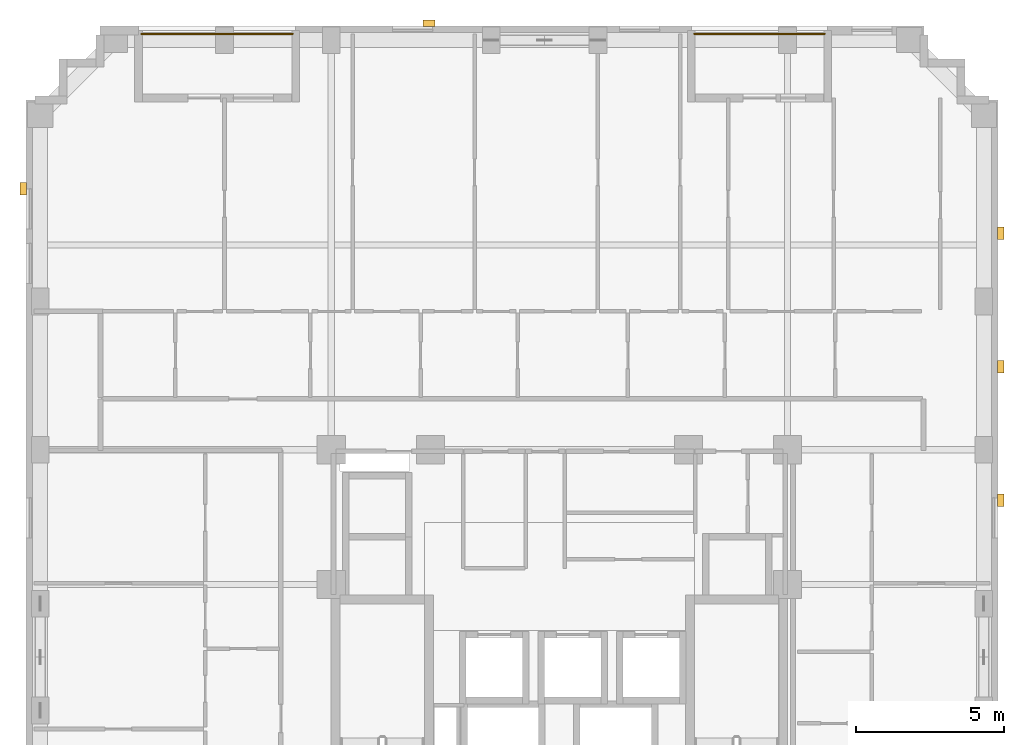
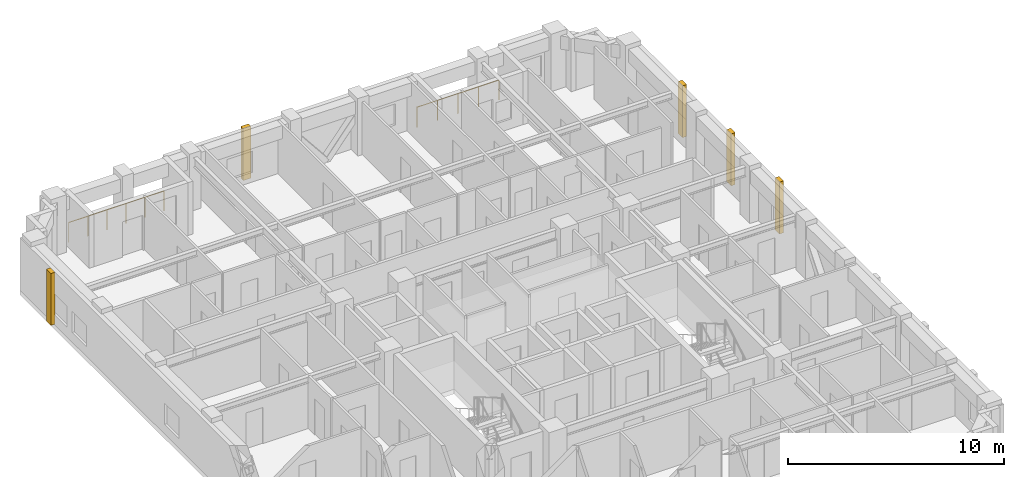
# One storey, part 11 of 11: 5 coverings, 2 railings.
"""IFC4 building model written with IfcOpenShell, lengths in metres."""

from ifc_helpers import new_model, si_unit, derived_unit, direction, frame, origin, origin_2d, place, context, subcontext, project, spatial, rectangle, circle, extrude, material, layer, layer_set, type_object, element, save


model = new_model("IFC4")

# Units and contexts
model_context = context("Model", 3, precision=1e-05, world=origin(), true_north=direction((0.0, 1.0)))
body_context = subcontext(model_context, "Body", "Model", "MODEL_VIEW")
ifc_project = project(units=[si_unit("LENGTHUNIT", "METRE"), si_unit("AREAUNIT", "SQUARE_METRE"), si_unit("VOLUMEUNIT", "CUBIC_METRE"), si_unit("PLANEANGLEUNIT", "RADIAN"), si_unit("MASSUNIT", "GRAM", prefix="KILO"), derived_unit("THERMALTRANSMITTANCEUNIT", [(si_unit("MASSUNIT", "GRAM", prefix="KILO"), 1), (si_unit("TIMEUNIT", "SECOND"), -3), (si_unit("THERMODYNAMICTEMPERATUREUNIT", "KELVIN"), -1)])], contexts=[model_context])

# Site, building, storey
site_placement = place(None, origin())
site = spatial("IfcSite", under=ifc_project, at=site_placement, CompositionType="ELEMENT")
building_placement = place(site_placement, origin())
building = spatial("IfcBuilding", under=site, at=building_placement, Name="Korrvale Station Residences", CompositionType="ELEMENT")
storey_placement = place(building_placement, frame((0.0, 0.0, 150.39990234375)))
storey = spatial("IfcBuildingStorey", under=building, at=storey_placement, Name="L43", CompositionType="ELEMENT", Elevation=150.39990234375)

# Coverings
ifc_material_1 = material(Name="Architectural precast concrete C45/55", Category="concrete")
ifc_layer = layer(ifc_material_1, 0.219970703125, Name="Architectural precast concrete C45/55")
ifc_layer_set = layer_set([ifc_layer], Name="Architectural precast concrete C45/55")
covering_type = type_object("IfcCoveringType", Name="COV-PIER-400", PredefinedType="CLADDING", material=ifc_layer_set)
for number, where, z_axis, x_axis, name in (
    (1, (21.10009765625, 43.389892578125, 0.025146484375), (0.0, 0.0, 1.0), (1.0, 0.0, 0.0), "L43 Architectural Precast Facade Pier 03"),
    (2, (7.409912109375, 37.800048828125, 0.025146484375), (0.0, 0.0, 1.0), (0.0, 1.0, 0.0), "L43 Architectural Precast Facade Pier 04"),
    (3, (40.389892578125, 36.300048828125, 0.025146484375), (0.0, 0.0, 1.0), (0.0, 1.0, 0.0), "L43 Architectural Precast Facade Pier 05"),
    (4, (40.389892578125, 31.800048828125, 0.025146484375), (0.0, 0.0, 1.0), (0.0, 1.0, 0.0), "L43 Architectural Precast Facade Pier 06"),
    (5, (40.389892578125, 27.300048828125, 0.025146484375), (0.0, 0.0, 1.0), (0.0, 1.0, 0.0), "L43 Architectural Precast Facade Pier 07"),
):
    element("IfcCovering", number, at=place(storey_placement, frame(where, z_axis=z_axis, x_axis=x_axis)), inside=storey, type_object=covering_type, Name=name, PredefinedType="CLADDING", context=body_context, shape_type="SweptSolid", body=[
        extrude(rectangle(XDim=0.419921875, YDim=0.219970703125, at=origin_2d()), origin(), (0.0, 0.0, 1.0), 2.93994140625),
    ])

# Railings
ifc_material_2 = material(Name="Powder-coated aluminium picket loggia guard", Category="aluminium")
railing_type = type_object("IfcRailingType", Name="RLG-BAL-1150", PredefinedType="GUARDRAIL", material=ifc_material_2)
railing_1_placement = place(storey_placement, frame((11.39990234375, 43.030029296875, 0.0)))
element("IfcRailing", 6, at=railing_1_placement, inside=storey, type_object=railing_type, Name="L43 Recessed Loggia Guardrail BAL-L43-N2", PredefinedType="GUARDRAIL", context=body_context, shape_type="SweptSolid", body=[
    extrude(circle(Radius=0.02392578125, at=origin_2d()), frame((0.0, 0.0, 1.1259765625), z_axis=(1.0, 0.0, 0.0), x_axis=(0.0, 1.0, 0.0)), (0.0, 0.0, 1.0), 5.10009765625),
    extrude(circle(Radius=0.02099609375, at=origin_2d()), origin(), (0.0, 0.0, 1.0), 1.101806640625),
    extrude(circle(Radius=0.02099609375, at=origin_2d()), frame((1.02001953125, 0.0, 0.0)), (0.0, 0.0, 1.0), 1.101806640625),
    extrude(circle(Radius=0.02099609375, at=origin_2d()), frame((2.0400390625, 0.0, 0.0)), (0.0, 0.0, 1.0), 1.101806640625),
    extrude(circle(Radius=0.02099609375, at=origin_2d()), frame((3.06005859375, 0.0, 0.0)), (0.0, 0.0, 1.0), 1.101806640625),
    extrude(circle(Radius=0.02099609375, at=origin_2d()), frame((4.080078125, 0.0, 0.0)), (0.0, 0.0, 1.0), 1.101806640625),
    extrude(circle(Radius=0.02099609375, at=origin_2d()), frame((5.10009765625, 0.0, 0.0)), (0.0, 0.0, 1.0), 1.101806640625),
])
railing_2_placement = place(storey_placement, frame((30.050048828125, 43.030029296875, 0.0)))
element("IfcRailing", 7, at=railing_2_placement, inside=storey, type_object=railing_type, Name="L43 Recessed Loggia Guardrail BAL-L43-N1", PredefinedType="GUARDRAIL", context=body_context, shape_type="SweptSolid", body=[
    extrude(circle(Radius=0.02392578125, at=origin_2d()), frame((0.0, 0.0, 1.1259765625), z_axis=(1.0, 0.0, 0.0), x_axis=(0.0, 1.0, 0.0)), (0.0, 0.0, 1.0), 4.39990234375),
    extrude(circle(Radius=0.02099609375, at=origin_2d()), origin(), (0.0, 0.0, 1.0), 1.101806640625),
    extrude(circle(Radius=0.02099609375, at=origin_2d()), frame((1.10009765625, 0.0, 0.0)), (0.0, 0.0, 1.0), 1.101806640625),
    extrude(circle(Radius=0.02099609375, at=origin_2d()), frame((2.199951171875, 0.0, 0.0)), (0.0, 0.0, 1.0), 1.101806640625),
    extrude(circle(Radius=0.02099609375, at=origin_2d()), frame((3.2998046875, 0.0, 0.0)), (0.0, 0.0, 1.0), 1.101806640625),
    extrude(circle(Radius=0.02099609375, at=origin_2d()), frame((4.39990234375, 0.0, 0.0)), (0.0, 0.0, 1.0), 1.101806640625),
])

save(model, "model.ifc")
